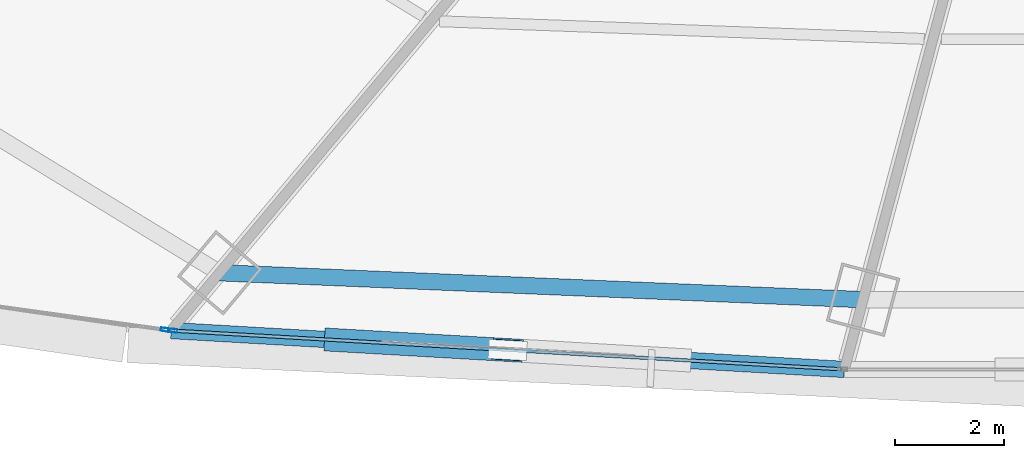
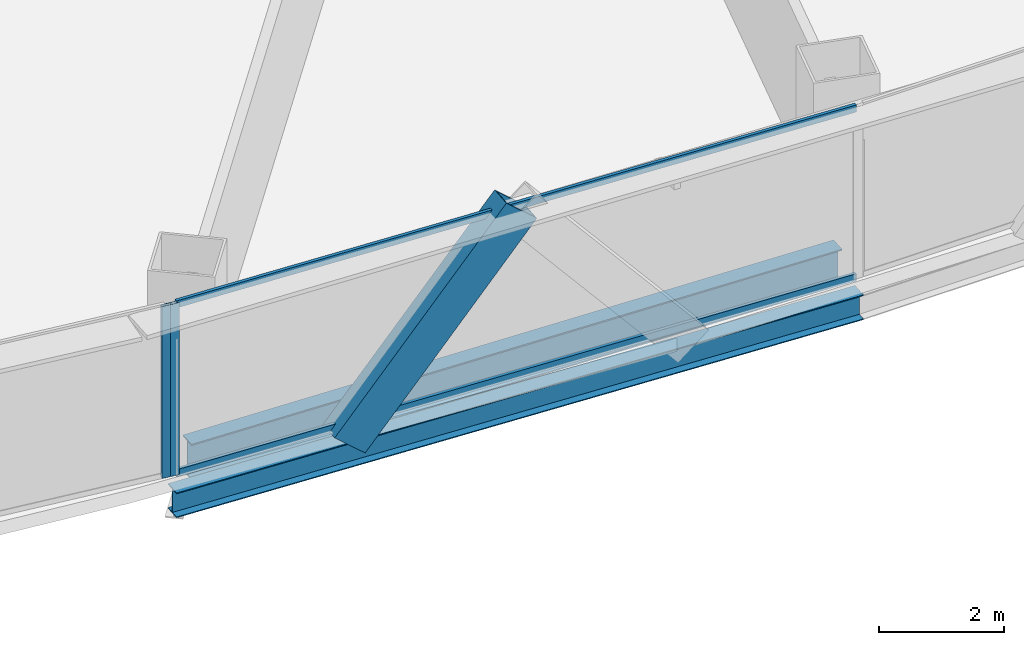
# One storey, part 6 of 37: 5 members, 2 beams, 2 elements without a shape of their own.
"""IFC4 building model written with IfcOpenShell, lengths in metres."""

from ifc_helpers import new_model, si_unit, direction, frame, origin, origin_2d, place, context, subcontext, project, spatial, hollow_rectangle, i_section, extrude, source, transform, mapped, material, layer, layer_set, material_profile, profile_set, type_object, element, aggregate, save


model = new_model("IFC4")

# Units and contexts
model_context = context("Model", 3, precision=1e-05, world=origin(), true_north=direction((0.0, 1.0)))
body_context = subcontext(model_context, "Body", "Model", "MODEL_VIEW")
ifc_project = project(units=[si_unit("LENGTHUNIT", "METRE"), si_unit("AREAUNIT", "SQUARE_METRE"), si_unit("VOLUMEUNIT", "CUBIC_METRE"), si_unit("PLANEANGLEUNIT", "RADIAN"), si_unit("MASSUNIT", "GRAM", prefix="KILO"), si_unit("THERMODYNAMICTEMPERATUREUNIT", "KELVIN"), si_unit("POWERUNIT", "WATT")], contexts=[model_context])

# Site, building, storey
site_placement = place(None, origin())
site = spatial("IfcSite", under=ifc_project, at=site_placement, CompositionType="ELEMENT")
building_placement = place(site_placement, origin())
building = spatial("IfcBuilding", under=site, at=building_placement, Name="Yunzhuo Pagoda Commons", CompositionType="ELEMENT")
storey_placement = place(building_placement, frame((0.0, 0.0, 52.179931640625)))
storey = spatial("IfcBuildingStorey", under=building, at=storey_placement, Name="L13", CompositionType="ELEMENT", Elevation=52.179931640625)

# Beams
ifc_material_1 = material(Name="Structural steel Q355B", Category="steel")
ifc_material_profile_1 = material_profile(ifc_material_1, i_section(OverallWidth=0.300048828125, OverallDepth=0.699951171875, WebThickness=0.012939453125, FlangeThickness=0.02392578125, at=origin_2d()), Name="Structural steel Q355B")
ifc_profile_set_1 = profile_set([ifc_material_profile_1], Name="Structural steel Q355B")
beam_type_1 = type_object("IfcBeamType", Name="B-RG1 Beam HN 700x300x13x24", PredefinedType="BEAM", material=ifc_profile_set_1)
shared_shape_1 = source(origin(), body_context, "Body", "SweptSolid", [
    extrude(i_section(OverallWidth=0.300048828125, OverallDepth=0.699951171875, WebThickness=0.012939453125, FlangeThickness=0.02392578125, at=origin_2d()), origin(), (0.0, 0.0, 1.0), 11.7900390625),
])
beam_1_placement = place(storey_placement, frame((30.5, 12.844482421875, -0.60986328125), z_axis=(0.99912739354, -0.041766631146, 0.0), x_axis=(0.041766631146, 0.99912739354, 0.0)))
element("IfcBeam", 1, at=beam_1_placement, inside=storey, type_object=beam_type_1, Name="L13 column-ring beam 1", PredefinedType="BEAM", context=body_context, shape_type="MappedRepresentation", body=[
    mapped(shared_shape_1, transform((0.0, 0.0, 0.0), scale=1.0)),
])
ifc_material_profile_2 = material_profile(ifc_material_1, i_section(OverallWidth=0.300048828125, OverallDepth=0.488037109375, WebThickness=0.010986328125, FlangeThickness=0.01806640625, at=origin_2d()), Name="Structural steel Q355B")
ifc_profile_set_2 = profile_set([ifc_material_profile_2], Name="Structural steel Q355B")
beam_type_2 = type_object("IfcBeamType", Name="B-SP1 Beam HM 488x300x11x18", PredefinedType="BEAM", material=ifc_profile_set_2)
shared_shape_2 = source(origin(), body_context, "Body", "SweptSolid", [
    extrude(i_section(OverallWidth=0.300048828125, OverallDepth=0.488037109375, WebThickness=0.010986328125, FlangeThickness=0.01806640625, at=origin_2d()), origin(), (0.0, 0.0, 1.0), 12.345703125),
])
beam_2_placement = place(storey_placement, frame((29.6123046875, 11.78662109375, -0.50390625), z_axis=(0.998336003237, -0.057664760824, 0.0), x_axis=(0.057664760824, 0.998336003237, 0.0)))
element("IfcBeam", 2, at=beam_2_placement, inside=storey, type_object=beam_type_2, Name="L13 facade edge spandrel beam F1.1", PredefinedType="BEAM", context=body_context, shape_type="MappedRepresentation", body=[
    mapped(shared_shape_2, transform((0.0, 0.0, 0.0), scale=1.0)),
])

# Member
ifc_material_2 = material(Name="Structural steel Q420B", Category="steel")
ifc_material_profile_3 = material_profile(ifc_material_2, hollow_rectangle(XDim=0.419921875, YDim=0.719970703125, WallThickness=0.028076171875, at=origin_2d()), Name="Structural steel Q420B")
ifc_profile_set_3 = profile_set([ifc_material_profile_3], Name="Structural steel Q420B")
member_type_1 = type_object("IfcMemberType", Name="M-DL1 Brace BOX 720x420x28", PredefinedType="BRACE", material=ifc_profile_set_3)
shared_shape_3 = source(origin(), body_context, "Body", "SweptSolid", [
    extrude(hollow_rectangle(XDim=0.419921875, YDim=0.719970703125, WallThickness=0.028076171875, at=origin_2d()), origin(), (0.0, 0.0, 1.0), 4.7646484375),
])
member_1_placement = place(storey_placement, frame((32.69384765625, 11.6083984375, -0.260009765625), z_axis=(0.646642715915, -0.037302369032, 0.761880391675), x_axis=(0.057590470068, 0.998340291563, 0.0)))
element("IfcMember", 3, at=member_1_placement, inside=storey, type_object=member_type_1, Name="L13 facade diamond brace F1.1L", PredefinedType="BRACE", context=body_context, shape_type="MappedRepresentation", body=[
    mapped(shared_shape_3, transform((0.0, 0.0, 0.0), scale=1.0)),
])

# Curtain wall, member
ifc_material_3 = material(Name="Anodized aluminium 6063-T6", Category="aluminium")
ifc_layer = layer(ifc_material_3, 0.1650390625)
ifc_layer_set = layer_set([ifc_layer], Name="Anodized aluminium 6063-T6")
curtain_wall_type = type_object("IfcCurtainWallType", Name="CW-LOW Low-Zone Ribbon Curtain Wall", PredefinedType="NOTDEFINED", material=ifc_layer_set)
curtain_wall_1_placement = place(storey_placement, origin())
curtain_wall_1 = element("IfcCurtainWall", 4, at=curtain_wall_1_placement, inside=storey, type_object=curtain_wall_type, Name="L13 curtain wall CW-L13-F1B2", PredefinedType="NOTDEFINED")
ifc_material_profile_4 = material_profile(ifc_material_3, hollow_rectangle(XDim=0.06494140625, YDim=0.1650390625, WallThickness=0.00390625, at=origin_2d()), Name="Anodized aluminium 6063-T6")
ifc_profile_set_4 = profile_set([ifc_material_profile_4], Name="Anodized aluminium 6063-T6")
member_type_2 = type_object("IfcMemberType", Name="CW-LOW-M Mullion RHS 165x65x4", PredefinedType="MULLION", material=ifc_profile_set_4)
shared_shape_4 = source(origin(), body_context, "Body", "SweptSolid", [
    extrude(hollow_rectangle(XDim=0.06494140625, YDim=0.1650390625, WallThickness=0.00390625, at=origin_2d()), origin(), (0.0, 0.0, 1.0), 3.3701171875),
])
member_2_placement = place(storey_placement, frame((29.644775390625, 11.78466796875, 0.0), z_axis=(0.0, 0.0, 1.0), x_axis=(0.057664069997, 0.998336043139, 0.0)))
member_2 = element("IfcMember", 5, at=member_2_placement, type_object=member_type_2, Name="CW mullion 1", PredefinedType="MULLION", context=body_context, shape_type="MappedRepresentation", body=[
    mapped(shared_shape_4, transform((0.0, 0.0, 0.0), scale=1.0)),
])

curtain_wall_2_placement = place(storey_placement, origin())
curtain_wall_2 = element("IfcCurtainWall", 6, at=curtain_wall_2_placement, inside=storey, type_object=curtain_wall_type, Name="L13 curtain wall CW-L13-F1B1", PredefinedType="NOTDEFINED")
member_3_placement = place(storey_placement, frame((29.505859375, 11.801513671875, 0.0), z_axis=(0.0, 0.0, 1.0), x_axis=(0.13790498569, 0.990445462871, 0.0)))
member_3 = element("IfcMember", 7, at=member_3_placement, type_object=member_type_2, Name="CW mullion 2", PredefinedType="MULLION", context=body_context, shape_type="MappedRepresentation", body=[
    mapped(shared_shape_4, transform((0.0, 0.0, 0.0), scale=1.0)),
])
aggregate(curtain_wall_2, [member_3])

# Member
ifc_material_profile_5 = material_profile(ifc_material_3, hollow_rectangle(XDim=0.06005859375, YDim=0.139892578125, WallThickness=0.00341796875, at=origin_2d()), Name="Anodized aluminium 6063-T6")
ifc_profile_set_5 = profile_set([ifc_material_profile_5], Name="Anodized aluminium 6063-T6")
member_type_3 = type_object("IfcMemberType", Name="CW-LOW-T Transom RHS 140x60x3.5", PredefinedType="USERDEFINED", material=ifc_profile_set_5)
shared_shape_5 = source(origin(), body_context, "Body", "SweptSolid", [
    extrude(hollow_rectangle(XDim=0.06005859375, YDim=0.139892578125, WallThickness=0.00341796875, at=origin_2d()), origin(), (0.0, 0.0, 1.0), 12.215576171875),
])
member_4_placement = place(storey_placement, frame((29.67724609375, 11.78271484375, 0.030029296875), z_axis=(0.998336315272, -0.057659358375, 0.0), x_axis=(0.057659358375, 0.998336315272, 0.0)))
member_4 = element("IfcMember", 8, at=member_4_placement, type_object=member_type_3, Name="CW transom 1.1", ObjectType="TRANSOM", PredefinedType="USERDEFINED", context=body_context, shape_type="MappedRepresentation", body=[
    mapped(shared_shape_5, transform((0.0, 0.0, 0.0), scale=1.0)),
])

member_5_placement = place(storey_placement, frame((29.67724609375, 11.78271484375, 3.34033203125), z_axis=(0.998336315272, -0.057659358375, 0.0), x_axis=(0.057659358375, 0.998336315272, 0.0)))
member_5 = element("IfcMember", 9, at=member_5_placement, type_object=member_type_3, Name="CW transom 1.2", ObjectType="TRANSOM", PredefinedType="USERDEFINED", context=body_context, shape_type="MappedRepresentation", body=[
    mapped(shared_shape_5, transform((0.0, 0.0, 0.0), scale=1.0)),
])

aggregate(curtain_wall_1, [member_2, member_4, member_5])

save(model, "model.ifc")
